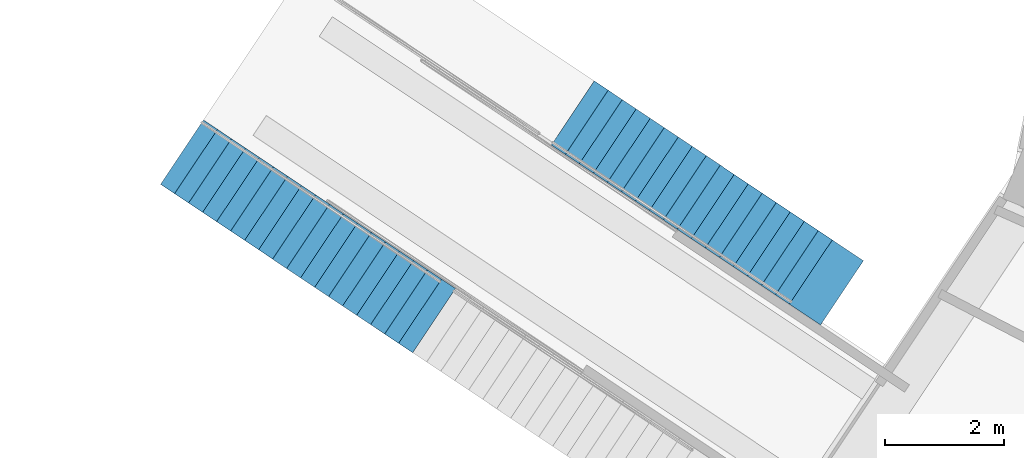
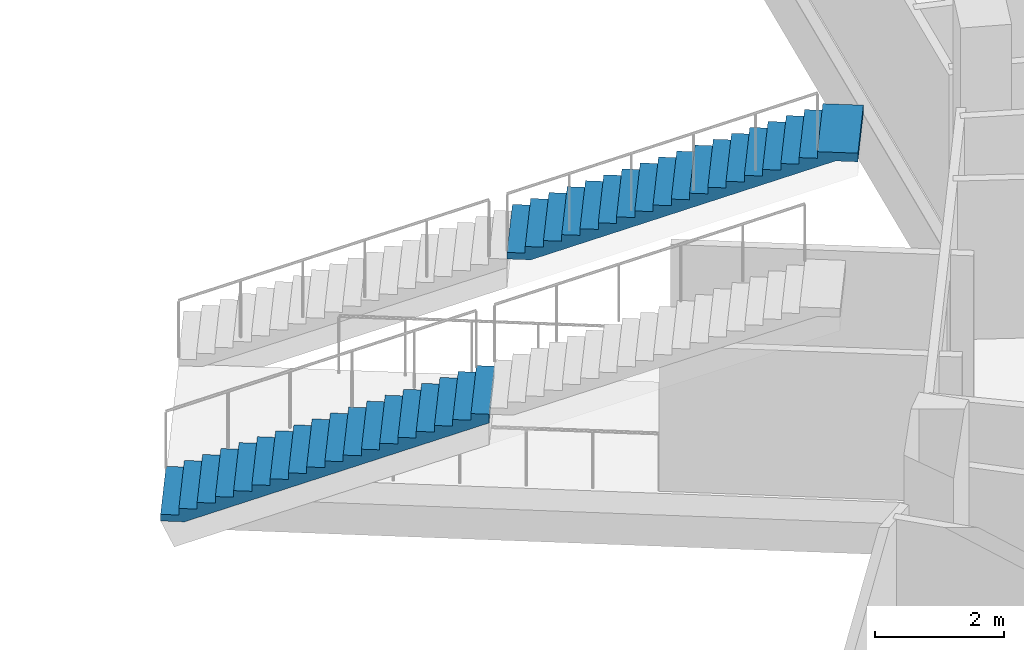
# One storey, part 91 of 175: 2 stair flights, 2 elements without a shape of their own.
"""IFC4 building model written with IfcOpenShell, lengths in metres."""

import ifcopenshell
import ifcopenshell.guid

model = None  # the IFC model being written
_history = None  # IfcOwnerHistory: only IFC2X3 demands one
_inside = {}  # id of a spatial element -> (the spatial element, [elements in it])
_under = {}  # id of a project, library or spatial element -> (it, [spatial elements below it])
_declared = {}  # id of a project -> (the project, [libraries it declares])
_typed = {}  # id of a type object -> (the type object, [elements of that type])
_made_of = {}  # id of a material, layer set ... -> (it, [elements and type objects made of it])


def new_model(schema):
    """Start an empty IFC model of exactly this schema.

    Asked for "IFC4X3", IfcOpenShell would pick the latest addendum, in which some entities
    have other attributes; the version numbers below select the first issue.
    IFC2X3 requires an IfcOwnerHistory on every rooted entity: one is made here for all.
    """
    global model, _history
    if schema == "IFC4X3":
        model = ifcopenshell.file(schema_version=(4, 3, 0, 0))
    else:
        model = ifcopenshell.file(schema=schema)
    _inside.clear()
    _under.clear()
    _declared.clear()
    _typed.clear()
    _made_of.clear()
    _history = None
    if model.schema == "IFC2X3":
        org = make("IfcOrganization", Name="unknown")
        user = make(
            "IfcPersonAndOrganization",
            ThePerson=make("IfcPerson", FamilyName="unknown"),
            TheOrganization=org,
        )
        app = make(
            "IfcApplication",
            ApplicationDeveloper=org,
            Version="unknown",
            ApplicationFullName="unknown",
            ApplicationIdentifier="unknown",
        )
        _history = make(
            "IfcOwnerHistory",
            OwningUser=user,
            OwningApplication=app,
            ChangeAction="ADDED",
            CreationDate=0,
        )
    return model


def make(cls, **values):
    """One entity of the class cls with the attributes given. An attribute that is None is left unset."""
    return model.create_entity(
        cls, **{name: value for name, value in values.items() if value is not None}
    )


def rooted(cls, **values):
    """An entity with a GlobalId (a new one), such as an element, a storey or a relation."""
    return make(cls, GlobalId=ifcopenshell.guid.new(), OwnerHistory=_history, **values)


def si_unit(unit_type, name, prefix=None):
    """IfcSIUnit, for example si_unit("LENGTHUNIT", "METRE", prefix="MILLI")."""
    return make("IfcSIUnit", UnitType=unit_type, Prefix=prefix, Name=name)


def assignment(units):
    """IfcUnitAssignment: the units of a project."""
    return None if units is None else make("IfcUnitAssignment", Units=units)


def point(xyz):
    """IfcCartesianPoint."""
    return None if xyz is None else make("IfcCartesianPoint", Coordinates=xyz)


def direction(xyz):
    """IfcDirection."""
    return None if xyz is None else make("IfcDirection", DirectionRatios=xyz)


def frame(location, z_axis=None, x_axis=None):
    """IfcAxis2Placement3D, a coordinate frame: its origin and axes. An axis left out is left unset."""
    return make(
        "IfcAxis2Placement3D",
        Location=point(location),
        Axis=direction(z_axis),
        RefDirection=direction(x_axis),
    )


def origin():
    """The frame at (0, 0, 0) with its axes left unset."""
    return frame((0.0, 0.0, 0.0))


def place(relative_to, where):
    """IfcLocalPlacement: puts the frame where relative to a parent placement (None: the world)."""
    return make(
        "IfcLocalPlacement", PlacementRelTo=relative_to, RelativePlacement=where
    )


def context(
    kind, dimensions, precision=None, world=None, true_north=None, identifier=None
):
    """IfcGeometricRepresentationContext, for example the 3D "Model" context."""
    return make(
        "IfcGeometricRepresentationContext",
        ContextIdentifier=identifier,
        ContextType=kind,
        CoordinateSpaceDimension=dimensions,
        Precision=precision,
        WorldCoordinateSystem=world,
        TrueNorth=true_north,
    )


def subcontext(parent, identifier, kind, view, scale=None):
    """IfcGeometricRepresentationSubContext, for example "Body" below "Model"."""
    return make(
        "IfcGeometricRepresentationSubContext",
        ContextIdentifier=identifier,
        ContextType=kind,
        ParentContext=parent,
        TargetScale=scale,
        TargetView=view,
    )


def project(units=None, contexts=None):
    """IfcProject with its units and contexts."""
    return rooted(
        "IfcProject",
        Name="project",
        RepresentationContexts=contexts,
        UnitsInContext=assignment(units),
    )


def spatial(cls, under=None, at=None, **own):
    """A site, building, storey or space (cls), placed at a placement, below another one or the project."""
    s = rooted(cls, ObjectPlacement=at, **own)
    if under is not None:
        _under.setdefault(under.id(), (under, []))[1].append(s)
    return s


def faces_of(points, faces, orient=None, outer=None):
    """IfcFace entities. A face is a list of loops; a loop is a list of indices into points, from 0.

    orient and outer hold one flag for each loop. By default every Orientation is true, the
    first loop of a face is its IfcFaceOuterBound and the others are IfcFaceBound.
    """
    made = []
    for i, loops in enumerate(faces):
        bounds = []
        for j, loop in enumerate(loops):
            is_outer = j == 0 if outer is None else outer[i][j]
            bounds.append(
                make(
                    "IfcFaceOuterBound" if is_outer else "IfcFaceBound",
                    Bound=make("IfcPolyLoop", Polygon=[points[k] for k in loop]),
                    Orientation=True if orient is None else orient[i][j],
                )
            )
        made.append(make("IfcFace", Bounds=bounds))
    return made


def faceted_brep(points, faces, orient=None, outer=None, voids=None):
    """IfcFacetedBrep: a solid bounded by flat faces; with voids (closed shells), ...WithVoids."""
    shared = [point(p) for p in points]
    hull = make("IfcClosedShell", CfsFaces=faces_of(shared, faces, orient, outer))
    if voids is None:
        return make("IfcFacetedBrep", Outer=hull)
    return make(
        "IfcFacetedBrepWithVoids",
        Outer=hull,
        Voids=[
            make(cls, CfsFaces=faces_of(shared, fs, o, b)) for cls, fs, o, b in voids
        ],
    )


def shape(context_of_items, identifier, shape_type, items):
    """IfcShapeRepresentation: the items that make up one representation, for example the "Body"."""
    return make(
        "IfcShapeRepresentation",
        ContextOfItems=context_of_items,
        RepresentationIdentifier=identifier,
        RepresentationType=shape_type,
        Items=items,
    )


def material(Name=None, Category=None):
    """IfcMaterial."""
    return make("IfcMaterial", Name=Name, Category=Category)


def made_of(thing, what):
    """Note that an element or type object is made of a material, layer set ...; save() writes the relation."""
    if what is not None:
        _made_of.setdefault(what.id(), (what, []))[1].append(thing)
    return thing


def type_object(cls, material=None, **own):
    """A type object (cls), such as IfcWallType, which elements share."""
    return made_of(rooted(cls, **own), material)


def element(
    cls,
    number,
    at=None,
    inside=None,
    cuts=None,
    type_object=None,
    material=None,
    context=None,
    identifier="Body",
    shape_type=None,
    held_by="IfcProductDefinitionShape",
    body=None,
    shapes=None,
    **own,
):
    """One element of the class cls, such as IfcWall. Its Tag is "e" and its number.

    at: its placement. inside: the storey or other place that contains it. cuts: it is an
    opening in that element (IfcRelVoidsElement). A single representation is given by context,
    identifier, shape_type and body (its items); several are given by shapes. held_by: the class
    of the entity that holds the representations. save() writes the other relations.
    """
    e = rooted(cls, Tag="e%d" % number, ObjectPlacement=at, **own)
    if body is not None:
        shapes = [shape(context, identifier, shape_type, body)]
    if shapes is not None:
        e.Representation = make(held_by, Representations=shapes)
    if inside is not None:
        _inside.setdefault(inside.id(), (inside, []))[1].append(e)
    if cuts is not None:
        rooted(
            "IfcRelVoidsElement", RelatingBuildingElement=cuts, RelatedOpeningElement=e
        )
    if type_object is not None:
        _typed.setdefault(type_object.id(), (type_object, []))[1].append(e)
    return made_of(e, material)


def aggregate(whole, parts):
    """IfcRelAggregates: a whole, such as a stair, and the parts it consists of."""
    return rooted("IfcRelAggregates", RelatingObject=whole, RelatedObjects=parts)


def save(model, path):
    """Write the relations noted so far, then the file.

    IfcRelAggregates (storeys below a building ...), IfcRelContainedInSpatialStructure (elements
    in a storey), IfcRelDefinesByType, IfcRelAssociatesMaterial and IfcRelDeclares: one each for
    every whole, place, type object, material and project.
    """
    for whole, parts in _under.values():
        aggregate(whole, parts)
    for where, things in _inside.values():
        rooted(
            "IfcRelContainedInSpatialStructure",
            RelatedElements=things,
            RelatingStructure=where,
        )
    for kind, things in _typed.values():
        rooted("IfcRelDefinesByType", RelatedObjects=things, RelatingType=kind)
    for what, things in _made_of.values():
        rooted("IfcRelAssociatesMaterial", RelatedObjects=things, RelatingMaterial=what)
    for by, libraries in _declared.values():
        rooted("IfcRelDeclares", RelatingContext=by, RelatedDefinitions=libraries)
    model.write(path)


model = new_model("IFC4")

# Units and contexts
model_context = context("Model", 3, precision=1e-05, world=origin(), true_north=direction((0.0, 1.0)))
body_context = subcontext(model_context, "Body", "Model", "MODEL_VIEW")
ifc_project = project(units=[si_unit("LENGTHUNIT", "METRE"), si_unit("AREAUNIT", "SQUARE_METRE"), si_unit("VOLUMEUNIT", "CUBIC_METRE"), si_unit("PLANEANGLEUNIT", "RADIAN"), si_unit("MASSUNIT", "GRAM", prefix="KILO")], contexts=[model_context])

# Site, building, storey
site_placement = place(None, origin())
site = spatial("IfcSite", under=ifc_project, at=site_placement, CompositionType="ELEMENT")
building_placement = place(site_placement, origin())
building = spatial("IfcBuilding", under=site, at=building_placement, Name="Ogive Plaza Stadium", CompositionType="ELEMENT")
storey_placement = place(building_placement, origin())
storey = spatial("IfcBuildingStorey", under=building, at=storey_placement, Name="L00", CompositionType="ELEMENT", Elevation=0.0)

# Stair, stair flight
ifc_material_1 = material(Name="Concrete C40/50", Category="concrete")
stair_type = type_object("IfcStairType", Name="Aisle stair", PredefinedType="STRAIGHT_RUN_STAIR", material=ifc_material_1)
stair_1_placement = place(storey_placement, origin())
stair_1 = element("IfcStair", 1, at=stair_1_placement, inside=storey, type_object=stair_type, Name="Aisle stair SA09L", PredefinedType="STRAIGHT_RUN_STAIR")
ifc_material_2 = material(Name="Concrete C40/50", Category="concrete")
stair_flight_type = type_object("IfcStairFlightType", Name="Aisle stair flight", PredefinedType="STRAIGHT", material=ifc_material_2)
stair_flight_1_placement = place(storey_placement, frame((45.43017578125, -62.6630859375, 0.0), z_axis=(0.0, 0.0, 1.0), x_axis=(0.831469612303, -0.55557023302, 0.0)))
stair_flight_1 = element("IfcStairFlight", 2, at=stair_flight_1_placement, type_object=stair_flight_type, Name="SA09L flight 1", NumberOfRisers=18, NumberOfTreads=17, PredefinedType="STRAIGHT", RiserHeight=0.125, TreadLength=0.283333333, context=body_context, shape_type="Brep", body=[
    faceted_brep([(0.371337890625, -0.64990234375, 0.0), (5.10009765625, -0.64990234375, 2.086181640625), (5.10009765625, -0.64990234375, 2.25), (4.816650390625, -0.64990234375, 2.25), (4.816650390625, -0.64990234375, 2.125), (4.533447265625, -0.64990234375, 2.125), (4.533447265625, -0.64990234375, 2.0), (4.25, -0.64990234375, 2.0), (4.25, -0.64990234375, 1.875), (3.966552734375, -0.64990234375, 1.875), (3.966552734375, -0.64990234375, 1.75), (3.683349609375, -0.64990234375, 1.75), (3.683349609375, -0.64990234375, 1.625), (3.39990234375, -0.64990234375, 1.625), (3.39990234375, -0.64990234375, 1.5), (3.11669921875, -0.64990234375, 1.5), (3.11669921875, -0.64990234375, 1.375), (2.833251953125, -0.64990234375, 1.375), (2.833251953125, -0.64990234375, 1.25), (2.550048828125, -0.64990234375, 1.25), (2.550048828125, -0.64990234375, 1.125), (2.2666015625, -0.64990234375, 1.125), (2.2666015625, -0.64990234375, 1.0), (1.9833984375, -0.64990234375, 1.0), (1.9833984375, -0.64990234375, 0.875), (1.699951171875, -0.64990234375, 0.875), (1.699951171875, -0.64990234375, 0.75), (1.416748046875, -0.64990234375, 0.75), (1.416748046875, -0.64990234375, 0.625), (1.13330078125, -0.64990234375, 0.625), (1.13330078125, -0.64990234375, 0.5), (0.85009765625, -0.64990234375, 0.5), (0.85009765625, -0.64990234375, 0.375), (0.566650390625, -0.64990234375, 0.375), (0.566650390625, -0.64990234375, 0.25), (0.283447265625, -0.64990234375, 0.25), (0.283447265625, -0.64990234375, 0.125), (0.0, -0.64990234375, 0.125), (0.0, -0.64990234375, 0.0), (0.0, 0.64990234375, 0.0), (0.0, 0.64990234375, 0.125), (0.283447265625, 0.64990234375, 0.125), (0.283447265625, 0.64990234375, 0.25), (0.566650390625, 0.64990234375, 0.25), (0.566650390625, 0.64990234375, 0.375), (0.85009765625, 0.64990234375, 0.375), (0.85009765625, 0.64990234375, 0.5), (1.13330078125, 0.64990234375, 0.5), (1.13330078125, 0.64990234375, 0.625), (1.416748046875, 0.64990234375, 0.625), (1.416748046875, 0.64990234375, 0.75), (1.699951171875, 0.64990234375, 0.75), (1.699951171875, 0.64990234375, 0.875), (1.9833984375, 0.64990234375, 0.875), (1.9833984375, 0.64990234375, 1.0), (2.2666015625, 0.64990234375, 1.0), (2.2666015625, 0.64990234375, 1.125), (2.550048828125, 0.64990234375, 1.125), (2.550048828125, 0.64990234375, 1.25), (2.833251953125, 0.64990234375, 1.25), (2.833251953125, 0.64990234375, 1.375), (3.11669921875, 0.64990234375, 1.375), (3.11669921875, 0.64990234375, 1.5), (3.39990234375, 0.64990234375, 1.5), (3.39990234375, 0.64990234375, 1.625), (3.683349609375, 0.64990234375, 1.625), (3.683349609375, 0.64990234375, 1.75), (3.966552734375, 0.64990234375, 1.75), (3.966552734375, 0.64990234375, 1.875), (4.25, 0.64990234375, 1.875), (4.25, 0.64990234375, 2.0), (4.533447265625, 0.64990234375, 2.0), (4.533447265625, 0.64990234375, 2.125), (4.816650390625, 0.64990234375, 2.125), (4.816650390625, 0.64990234375, 2.25), (5.10009765625, 0.64990234375, 2.25), (5.10009765625, 0.64990234375, 2.086181640625), (0.371337890625, 0.64990234375, 0.0), (0.371337890625, -0.324951171875, 0.0), (5.10009765625, -0.324951171875, 2.086181640625), (0.371337890625, 0.0, 0.0), (5.10009765625, 0.0, 2.086181640625), (0.371337890625, 0.324951171875, 0.0), (5.10009765625, 0.324951171875, 2.086181640625), (5.10009765625, -0.324951171875, 2.25), (5.10009765625, 0.0, 2.25), (5.10009765625, 0.324951171875, 2.25), (4.816650390625, -0.324951171875, 2.25), (4.816650390625, 0.0, 2.25), (4.816650390625, 0.324951171875, 2.25), (4.816650390625, -0.324951171875, 2.125), (4.816650390625, 0.0, 2.125), (4.816650390625, 0.324951171875, 2.125), (4.533447265625, -0.324951171875, 2.125), (4.533447265625, 0.0, 2.125), (4.533447265625, 0.324951171875, 2.125), (4.533447265625, -0.324951171875, 2.0), (4.533447265625, 0.0, 2.0), (4.533447265625, 0.324951171875, 2.0), (4.25, -0.324951171875, 2.0), (4.25, 0.0, 2.0), (4.25, 0.324951171875, 2.0), (4.25, -0.324951171875, 1.875), (4.25, 0.0, 1.875), (4.25, 0.324951171875, 1.875), (3.966552734375, -0.324951171875, 1.875), (3.966552734375, 0.0, 1.875), (3.966552734375, 0.324951171875, 1.875), (3.966552734375, -0.324951171875, 1.75), (3.966552734375, 0.0, 1.75), (3.966552734375, 0.324951171875, 1.75), (3.683349609375, -0.324951171875, 1.75), (3.683349609375, 0.0, 1.75), (3.683349609375, 0.324951171875, 1.75), (3.683349609375, -0.324951171875, 1.625), (3.683349609375, 0.0, 1.625), (3.683349609375, 0.324951171875, 1.625), (3.39990234375, -0.324951171875, 1.625), (3.39990234375, 0.0, 1.625), (3.39990234375, 0.324951171875, 1.625), (3.39990234375, -0.324951171875, 1.5), (3.39990234375, 0.0, 1.5), (3.39990234375, 0.324951171875, 1.5), (3.11669921875, -0.324951171875, 1.5), (3.11669921875, 0.0, 1.5), (3.11669921875, 0.324951171875, 1.5), (3.11669921875, -0.324951171875, 1.375), (3.11669921875, 0.0, 1.375), (3.11669921875, 0.324951171875, 1.375), (2.833251953125, -0.324951171875, 1.375), (2.833251953125, 0.0, 1.375), (2.833251953125, 0.324951171875, 1.375), (2.833251953125, -0.324951171875, 1.25), (2.833251953125, 0.0, 1.25), (2.833251953125, 0.324951171875, 1.25), (2.550048828125, -0.324951171875, 1.25), (2.550048828125, 0.0, 1.25), (2.550048828125, 0.324951171875, 1.25), (2.550048828125, -0.324951171875, 1.125), (2.550048828125, 0.0, 1.125), (2.550048828125, 0.324951171875, 1.125), (2.2666015625, -0.324951171875, 1.125), (2.2666015625, 0.0, 1.125), (2.2666015625, 0.324951171875, 1.125), (2.2666015625, -0.324951171875, 1.0), (2.2666015625, 0.0, 1.0), (2.2666015625, 0.324951171875, 1.0), (1.9833984375, -0.324951171875, 1.0), (1.9833984375, 0.0, 1.0), (1.9833984375, 0.324951171875, 1.0), (1.9833984375, -0.324951171875, 0.875), (1.9833984375, 0.0, 0.875), (1.9833984375, 0.324951171875, 0.875), (1.699951171875, -0.324951171875, 0.875), (1.699951171875, 0.0, 0.875), (1.699951171875, 0.324951171875, 0.875), (1.699951171875, -0.324951171875, 0.75), (1.699951171875, 0.0, 0.75), (1.699951171875, 0.324951171875, 0.75), (1.416748046875, -0.324951171875, 0.75), (1.416748046875, 0.0, 0.75), (1.416748046875, 0.324951171875, 0.75), (1.416748046875, -0.324951171875, 0.625), (1.416748046875, 0.0, 0.625), (1.416748046875, 0.324951171875, 0.625), (1.13330078125, -0.324951171875, 0.625), (1.13330078125, 0.0, 0.625), (1.13330078125, 0.324951171875, 0.625), (1.13330078125, -0.324951171875, 0.5), (1.13330078125, 0.0, 0.5), (1.13330078125, 0.324951171875, 0.5), (0.85009765625, -0.324951171875, 0.5), (0.85009765625, 0.0, 0.5), (0.85009765625, 0.324951171875, 0.5), (0.85009765625, -0.324951171875, 0.375), (0.85009765625, 0.0, 0.375), (0.85009765625, 0.324951171875, 0.375), (0.566650390625, -0.324951171875, 0.375), (0.566650390625, 0.0, 0.375), (0.566650390625, 0.324951171875, 0.375), (0.566650390625, -0.324951171875, 0.25), (0.566650390625, 0.0, 0.25), (0.566650390625, 0.324951171875, 0.25), (0.283447265625, -0.324951171875, 0.25), (0.283447265625, 0.0, 0.25), (0.283447265625, 0.324951171875, 0.25), (0.283447265625, -0.324951171875, 0.125), (0.283447265625, 0.0, 0.125), (0.283447265625, 0.324951171875, 0.125), (0.0, -0.324951171875, 0.125), (0.0, 0.0, 0.125), (0.0, 0.324951171875, 0.125), (0.0, -0.324951171875, 0.0), (0.0, 0.0, 0.0), (0.0, 0.324951171875, 0.0)], [[[0, 1, 2, 3, 4, 5, 6, 7, 8, 9, 10, 11, 12, 13, 14, 15, 16, 17, 18, 19, 20, 21, 22, 23, 24, 25, 26, 27, 28, 29, 30, 31, 32, 33, 34, 35, 36, 37, 38]], [[39, 40, 41, 42, 43, 44, 45, 46, 47, 48, 49, 50, 51, 52, 53, 54, 55, 56, 57, 58, 59, 60, 61, 62, 63, 64, 65, 66, 67, 68, 69, 70, 71, 72, 73, 74, 75, 76, 77]], [[0, 78, 79, 1]], [[78, 80, 81, 79]], [[80, 82, 83, 81]], [[82, 77, 76, 83]], [[1, 79, 84, 2]], [[79, 81, 85, 84]], [[81, 83, 86, 85]], [[83, 76, 75, 86]], [[2, 84, 87, 3]], [[84, 85, 88, 87]], [[85, 86, 89, 88]], [[86, 75, 74, 89]], [[3, 87, 90, 4]], [[87, 88, 91, 90]], [[88, 89, 92, 91]], [[89, 74, 73, 92]], [[4, 90, 93, 5]], [[90, 91, 94, 93]], [[91, 92, 95, 94]], [[92, 73, 72, 95]], [[5, 93, 96, 6]], [[93, 94, 97, 96]], [[94, 95, 98, 97]], [[95, 72, 71, 98]], [[6, 96, 99, 7]], [[96, 97, 100, 99]], [[97, 98, 101, 100]], [[98, 71, 70, 101]], [[7, 99, 102, 8]], [[99, 100, 103, 102]], [[100, 101, 104, 103]], [[101, 70, 69, 104]], [[8, 102, 105, 9]], [[102, 103, 106, 105]], [[103, 104, 107, 106]], [[104, 69, 68, 107]], [[9, 105, 108, 10]], [[105, 106, 109, 108]], [[106, 107, 110, 109]], [[107, 68, 67, 110]], [[10, 108, 111, 11]], [[108, 109, 112, 111]], [[109, 110, 113, 112]], [[110, 67, 66, 113]], [[11, 111, 114, 12]], [[111, 112, 115, 114]], [[112, 113, 116, 115]], [[113, 66, 65, 116]], [[12, 114, 117, 13]], [[114, 115, 118, 117]], [[115, 116, 119, 118]], [[116, 65, 64, 119]], [[13, 117, 120, 14]], [[117, 118, 121, 120]], [[118, 119, 122, 121]], [[119, 64, 63, 122]], [[14, 120, 123, 15]], [[120, 121, 124, 123]], [[121, 122, 125, 124]], [[122, 63, 62, 125]], [[15, 123, 126, 16]], [[123, 124, 127, 126]], [[124, 125, 128, 127]], [[125, 62, 61, 128]], [[16, 126, 129, 17]], [[126, 127, 130, 129]], [[127, 128, 131, 130]], [[128, 61, 60, 131]], [[17, 129, 132, 18]], [[129, 130, 133, 132]], [[130, 131, 134, 133]], [[131, 60, 59, 134]], [[18, 132, 135, 19]], [[132, 133, 136, 135]], [[133, 134, 137, 136]], [[134, 59, 58, 137]], [[19, 135, 138, 20]], [[135, 136, 139, 138]], [[136, 137, 140, 139]], [[137, 58, 57, 140]], [[20, 138, 141, 21]], [[138, 139, 142, 141]], [[139, 140, 143, 142]], [[140, 57, 56, 143]], [[21, 141, 144, 22]], [[141, 142, 145, 144]], [[142, 143, 146, 145]], [[143, 56, 55, 146]], [[22, 144, 147, 23]], [[144, 145, 148, 147]], [[145, 146, 149, 148]], [[146, 55, 54, 149]], [[23, 147, 150, 24]], [[147, 148, 151, 150]], [[148, 149, 152, 151]], [[149, 54, 53, 152]], [[24, 150, 153, 25]], [[150, 151, 154, 153]], [[151, 152, 155, 154]], [[152, 53, 52, 155]], [[25, 153, 156, 26]], [[153, 154, 157, 156]], [[154, 155, 158, 157]], [[155, 52, 51, 158]], [[26, 156, 159, 27]], [[156, 157, 160, 159]], [[157, 158, 161, 160]], [[158, 51, 50, 161]], [[27, 159, 162, 28]], [[159, 160, 163, 162]], [[160, 161, 164, 163]], [[161, 50, 49, 164]], [[28, 162, 165, 29]], [[162, 163, 166, 165]], [[163, 164, 167, 166]], [[164, 49, 48, 167]], [[29, 165, 168, 30]], [[165, 166, 169, 168]], [[166, 167, 170, 169]], [[167, 48, 47, 170]], [[30, 168, 171, 31]], [[168, 169, 172, 171]], [[169, 170, 173, 172]], [[170, 47, 46, 173]], [[31, 171, 174, 32]], [[171, 172, 175, 174]], [[172, 173, 176, 175]], [[173, 46, 45, 176]], [[32, 174, 177, 33]], [[174, 175, 178, 177]], [[175, 176, 179, 178]], [[176, 45, 44, 179]], [[33, 177, 180, 34]], [[177, 178, 181, 180]], [[178, 179, 182, 181]], [[179, 44, 43, 182]], [[34, 180, 183, 35]], [[180, 181, 184, 183]], [[181, 182, 185, 184]], [[182, 43, 42, 185]], [[35, 183, 186, 36]], [[183, 184, 187, 186]], [[184, 185, 188, 187]], [[185, 42, 41, 188]], [[36, 186, 189, 37]], [[186, 187, 190, 189]], [[187, 188, 191, 190]], [[188, 41, 40, 191]], [[37, 189, 192, 38]], [[189, 190, 193, 192]], [[190, 191, 194, 193]], [[191, 40, 39, 194]], [[38, 192, 78, 0]], [[192, 193, 80, 78]], [[193, 194, 82, 80]], [[194, 39, 77, 82]]]),
])
aggregate(stair_1, [stair_flight_1])

stair_2_placement = place(storey_placement, origin())
stair_2 = element("IfcStair", 3, at=stair_2_placement, inside=storey, type_object=stair_type, Name="Aisle stair SA09R", PredefinedType="STRAIGHT_RUN_STAIR")
stair_flight_2_placement = place(storey_placement, frame((52.00390625, -62.004150390625, 2.25), z_axis=(0.0, 0.0, 1.0), x_axis=(0.831469612303, -0.55557023302, 0.0)))
stair_flight_2 = element("IfcStairFlight", 4, at=stair_flight_2_placement, type_object=stair_flight_type, Name="SA09R flight 2", NumberOfRisers=18, NumberOfTreads=17, PredefinedType="STRAIGHT", RiserHeight=0.125, TreadLength=0.283333333, context=body_context, shape_type="Brep", body=[
    faceted_brep([(0.371337890625, -0.64990234375, 0.0), (5.10009765625, -0.64990234375, 2.086181640625), (5.446533203125, -0.64990234375, 2.086181640625), (5.446533203125, -0.64990234375, 2.25), (4.816650390625, -0.64990234375, 2.25), (4.816650390625, -0.64990234375, 2.125), (4.533447265625, -0.64990234375, 2.125), (4.533447265625, -0.64990234375, 2.0), (4.25, -0.64990234375, 2.0), (4.25, -0.64990234375, 1.875), (3.966552734375, -0.64990234375, 1.875), (3.966552734375, -0.64990234375, 1.75), (3.683349609375, -0.64990234375, 1.75), (3.683349609375, -0.64990234375, 1.625), (3.39990234375, -0.64990234375, 1.625), (3.39990234375, -0.64990234375, 1.5), (3.11669921875, -0.64990234375, 1.5), (3.11669921875, -0.64990234375, 1.375), (2.833251953125, -0.64990234375, 1.375), (2.833251953125, -0.64990234375, 1.25), (2.550048828125, -0.64990234375, 1.25), (2.550048828125, -0.64990234375, 1.125), (2.2666015625, -0.64990234375, 1.125), (2.2666015625, -0.64990234375, 1.0), (1.9833984375, -0.64990234375, 1.0), (1.9833984375, -0.64990234375, 0.875), (1.699951171875, -0.64990234375, 0.875), (1.699951171875, -0.64990234375, 0.75), (1.416748046875, -0.64990234375, 0.75), (1.416748046875, -0.64990234375, 0.625), (1.13330078125, -0.64990234375, 0.625), (1.13330078125, -0.64990234375, 0.5), (0.85009765625, -0.64990234375, 0.5), (0.85009765625, -0.64990234375, 0.375), (0.566650390625, -0.64990234375, 0.375), (0.566650390625, -0.64990234375, 0.25), (0.283447265625, -0.64990234375, 0.25), (0.283447265625, -0.64990234375, 0.125), (0.0, -0.64990234375, 0.125), (0.0, -0.64990234375, 0.0), (0.0, 0.64990234375, 0.0), (0.0, 0.64990234375, 0.125), (0.283447265625, 0.64990234375, 0.125), (0.283447265625, 0.64990234375, 0.25), (0.566650390625, 0.64990234375, 0.25), (0.566650390625, 0.64990234375, 0.375), (0.85009765625, 0.64990234375, 0.375), (0.85009765625, 0.64990234375, 0.5), (1.13330078125, 0.64990234375, 0.5), (1.13330078125, 0.64990234375, 0.625), (1.416748046875, 0.64990234375, 0.625), (1.416748046875, 0.64990234375, 0.75), (1.699951171875, 0.64990234375, 0.75), (1.699951171875, 0.64990234375, 0.875), (1.9833984375, 0.64990234375, 0.875), (1.9833984375, 0.64990234375, 1.0), (2.2666015625, 0.64990234375, 1.0), (2.2666015625, 0.64990234375, 1.125), (2.550048828125, 0.64990234375, 1.125), (2.550048828125, 0.64990234375, 1.25), (2.833251953125, 0.64990234375, 1.25), (2.833251953125, 0.64990234375, 1.375), (3.11669921875, 0.64990234375, 1.375), (3.11669921875, 0.64990234375, 1.5), (3.39990234375, 0.64990234375, 1.5), (3.39990234375, 0.64990234375, 1.625), (3.683349609375, 0.64990234375, 1.625), (3.683349609375, 0.64990234375, 1.75), (3.966552734375, 0.64990234375, 1.75), (3.966552734375, 0.64990234375, 1.875), (4.25, 0.64990234375, 1.875), (4.25, 0.64990234375, 2.0), (4.533447265625, 0.64990234375, 2.0), (4.533447265625, 0.64990234375, 2.125), (4.816650390625, 0.64990234375, 2.125), (4.816650390625, 0.64990234375, 2.25), (5.446533203125, 0.64990234375, 2.25), (5.446533203125, 0.64990234375, 2.086181640625), (5.10009765625, 0.64990234375, 2.086181640625), (0.371337890625, 0.64990234375, 0.0), (0.371337890625, -0.324951171875, 0.0), (5.10009765625, -0.324951171875, 2.086181640625), (0.371337890625, 0.0, 0.0), (5.10009765625, 0.0, 2.086181640625), (0.371337890625, 0.324951171875, 0.0), (5.10009765625, 0.324951171875, 2.086181640625), (5.446533203125, -0.324951171875, 2.086181640625), (5.446533203125, 0.0, 2.086181640625), (5.446533203125, 0.324951171875, 2.086181640625), (5.446533203125, -0.324951171875, 2.25), (5.446533203125, 0.0, 2.25), (5.446533203125, 0.324951171875, 2.25), (4.816650390625, -0.324951171875, 2.25), (4.816650390625, 0.0, 2.25), (4.816650390625, 0.324951171875, 2.25), (4.816650390625, -0.324951171875, 2.125), (4.816650390625, 0.0, 2.125), (4.816650390625, 0.324951171875, 2.125), (4.533447265625, -0.324951171875, 2.125), (4.533447265625, 0.0, 2.125), (4.533447265625, 0.324951171875, 2.125), (4.533447265625, -0.324951171875, 2.0), (4.533447265625, 0.0, 2.0), (4.533447265625, 0.324951171875, 2.0), (4.25, -0.324951171875, 2.0), (4.25, 0.0, 2.0), (4.25, 0.324951171875, 2.0), (4.25, -0.324951171875, 1.875), (4.25, 0.0, 1.875), (4.25, 0.324951171875, 1.875), (3.966552734375, -0.324951171875, 1.875), (3.966552734375, 0.0, 1.875), (3.966552734375, 0.324951171875, 1.875), (3.966552734375, -0.324951171875, 1.75), (3.966552734375, 0.0, 1.75), (3.966552734375, 0.324951171875, 1.75), (3.683349609375, -0.324951171875, 1.75), (3.683349609375, 0.0, 1.75), (3.683349609375, 0.324951171875, 1.75), (3.683349609375, -0.324951171875, 1.625), (3.683349609375, 0.0, 1.625), (3.683349609375, 0.324951171875, 1.625), (3.39990234375, -0.324951171875, 1.625), (3.39990234375, 0.0, 1.625), (3.39990234375, 0.324951171875, 1.625), (3.39990234375, -0.324951171875, 1.5), (3.39990234375, 0.0, 1.5), (3.39990234375, 0.324951171875, 1.5), (3.11669921875, -0.324951171875, 1.5), (3.11669921875, 0.0, 1.5), (3.11669921875, 0.324951171875, 1.5), (3.11669921875, -0.324951171875, 1.375), (3.11669921875, 0.0, 1.375), (3.11669921875, 0.324951171875, 1.375), (2.833251953125, -0.324951171875, 1.375), (2.833251953125, 0.0, 1.375), (2.833251953125, 0.324951171875, 1.375), (2.833251953125, -0.324951171875, 1.25), (2.833251953125, 0.0, 1.25), (2.833251953125, 0.324951171875, 1.25), (2.550048828125, -0.324951171875, 1.25), (2.550048828125, 0.0, 1.25), (2.550048828125, 0.324951171875, 1.25), (2.550048828125, -0.324951171875, 1.125), (2.550048828125, 0.0, 1.125), (2.550048828125, 0.324951171875, 1.125), (2.2666015625, -0.324951171875, 1.125), (2.2666015625, 0.0, 1.125), (2.2666015625, 0.324951171875, 1.125), (2.2666015625, -0.324951171875, 1.0), (2.2666015625, 0.0, 1.0), (2.2666015625, 0.324951171875, 1.0), (1.9833984375, -0.324951171875, 1.0), (1.9833984375, 0.0, 1.0), (1.9833984375, 0.324951171875, 1.0), (1.9833984375, -0.324951171875, 0.875), (1.9833984375, 0.0, 0.875), (1.9833984375, 0.324951171875, 0.875), (1.699951171875, -0.324951171875, 0.875), (1.699951171875, 0.0, 0.875), (1.699951171875, 0.324951171875, 0.875), (1.699951171875, -0.324951171875, 0.75), (1.699951171875, 0.0, 0.75), (1.699951171875, 0.324951171875, 0.75), (1.416748046875, -0.324951171875, 0.75), (1.416748046875, 0.0, 0.75), (1.416748046875, 0.324951171875, 0.75), (1.416748046875, -0.324951171875, 0.625), (1.416748046875, 0.0, 0.625), (1.416748046875, 0.324951171875, 0.625), (1.13330078125, -0.324951171875, 0.625), (1.13330078125, 0.0, 0.625), (1.13330078125, 0.324951171875, 0.625), (1.13330078125, -0.324951171875, 0.5), (1.13330078125, 0.0, 0.5), (1.13330078125, 0.324951171875, 0.5), (0.85009765625, -0.324951171875, 0.5), (0.85009765625, 0.0, 0.5), (0.85009765625, 0.324951171875, 0.5), (0.85009765625, -0.324951171875, 0.375), (0.85009765625, 0.0, 0.375), (0.85009765625, 0.324951171875, 0.375), (0.566650390625, -0.324951171875, 0.375), (0.566650390625, 0.0, 0.375), (0.566650390625, 0.324951171875, 0.375), (0.566650390625, -0.324951171875, 0.25), (0.566650390625, 0.0, 0.25), (0.566650390625, 0.324951171875, 0.25), (0.283447265625, -0.324951171875, 0.25), (0.283447265625, 0.0, 0.25), (0.283447265625, 0.324951171875, 0.25), (0.283447265625, -0.324951171875, 0.125), (0.283447265625, 0.0, 0.125), (0.283447265625, 0.324951171875, 0.125), (0.0, -0.324951171875, 0.125), (0.0, 0.0, 0.125), (0.0, 0.324951171875, 0.125), (0.0, -0.324951171875, 0.0), (0.0, 0.0, 0.0), (0.0, 0.324951171875, 0.0)], [[[0, 1, 2, 3, 4, 5, 6, 7, 8, 9, 10, 11, 12, 13, 14, 15, 16, 17, 18, 19, 20, 21, 22, 23, 24, 25, 26, 27, 28, 29, 30, 31, 32, 33, 34, 35, 36, 37, 38, 39]], [[40, 41, 42, 43, 44, 45, 46, 47, 48, 49, 50, 51, 52, 53, 54, 55, 56, 57, 58, 59, 60, 61, 62, 63, 64, 65, 66, 67, 68, 69, 70, 71, 72, 73, 74, 75, 76, 77, 78, 79]], [[0, 80, 81, 1]], [[80, 82, 83, 81]], [[82, 84, 85, 83]], [[84, 79, 78, 85]], [[1, 81, 86, 2]], [[81, 83, 87, 86]], [[83, 85, 88, 87]], [[85, 78, 77, 88]], [[2, 86, 89, 3]], [[86, 87, 90, 89]], [[87, 88, 91, 90]], [[88, 77, 76, 91]], [[3, 89, 92, 4]], [[89, 90, 93, 92]], [[90, 91, 94, 93]], [[91, 76, 75, 94]], [[4, 92, 95, 5]], [[92, 93, 96, 95]], [[93, 94, 97, 96]], [[94, 75, 74, 97]], [[5, 95, 98, 6]], [[95, 96, 99, 98]], [[96, 97, 100, 99]], [[97, 74, 73, 100]], [[6, 98, 101, 7]], [[98, 99, 102, 101]], [[99, 100, 103, 102]], [[100, 73, 72, 103]], [[7, 101, 104, 8]], [[101, 102, 105, 104]], [[102, 103, 106, 105]], [[103, 72, 71, 106]], [[8, 104, 107, 9]], [[104, 105, 108, 107]], [[105, 106, 109, 108]], [[106, 71, 70, 109]], [[9, 107, 110, 10]], [[107, 108, 111, 110]], [[108, 109, 112, 111]], [[109, 70, 69, 112]], [[10, 110, 113, 11]], [[110, 111, 114, 113]], [[111, 112, 115, 114]], [[112, 69, 68, 115]], [[11, 113, 116, 12]], [[113, 114, 117, 116]], [[114, 115, 118, 117]], [[115, 68, 67, 118]], [[12, 116, 119, 13]], [[116, 117, 120, 119]], [[117, 118, 121, 120]], [[118, 67, 66, 121]], [[13, 119, 122, 14]], [[119, 120, 123, 122]], [[120, 121, 124, 123]], [[121, 66, 65, 124]], [[14, 122, 125, 15]], [[122, 123, 126, 125]], [[123, 124, 127, 126]], [[124, 65, 64, 127]], [[15, 125, 128, 16]], [[125, 126, 129, 128]], [[126, 127, 130, 129]], [[127, 64, 63, 130]], [[16, 128, 131, 17]], [[128, 129, 132, 131]], [[129, 130, 133, 132]], [[130, 63, 62, 133]], [[17, 131, 134, 18]], [[131, 132, 135, 134]], [[132, 133, 136, 135]], [[133, 62, 61, 136]], [[18, 134, 137, 19]], [[134, 135, 138, 137]], [[135, 136, 139, 138]], [[136, 61, 60, 139]], [[19, 137, 140, 20]], [[137, 138, 141, 140]], [[138, 139, 142, 141]], [[139, 60, 59, 142]], [[20, 140, 143, 21]], [[140, 141, 144, 143]], [[141, 142, 145, 144]], [[142, 59, 58, 145]], [[21, 143, 146, 22]], [[143, 144, 147, 146]], [[144, 145, 148, 147]], [[145, 58, 57, 148]], [[22, 146, 149, 23]], [[146, 147, 150, 149]], [[147, 148, 151, 150]], [[148, 57, 56, 151]], [[23, 149, 152, 24]], [[149, 150, 153, 152]], [[150, 151, 154, 153]], [[151, 56, 55, 154]], [[24, 152, 155, 25]], [[152, 153, 156, 155]], [[153, 154, 157, 156]], [[154, 55, 54, 157]], [[25, 155, 158, 26]], [[155, 156, 159, 158]], [[156, 157, 160, 159]], [[157, 54, 53, 160]], [[26, 158, 161, 27]], [[158, 159, 162, 161]], [[159, 160, 163, 162]], [[160, 53, 52, 163]], [[27, 161, 164, 28]], [[161, 162, 165, 164]], [[162, 163, 166, 165]], [[163, 52, 51, 166]], [[28, 164, 167, 29]], [[164, 165, 168, 167]], [[165, 166, 169, 168]], [[166, 51, 50, 169]], [[29, 167, 170, 30]], [[167, 168, 171, 170]], [[168, 169, 172, 171]], [[169, 50, 49, 172]], [[30, 170, 173, 31]], [[170, 171, 174, 173]], [[171, 172, 175, 174]], [[172, 49, 48, 175]], [[31, 173, 176, 32]], [[173, 174, 177, 176]], [[174, 175, 178, 177]], [[175, 48, 47, 178]], [[32, 176, 179, 33]], [[176, 177, 180, 179]], [[177, 178, 181, 180]], [[178, 47, 46, 181]], [[33, 179, 182, 34]], [[179, 180, 183, 182]], [[180, 181, 184, 183]], [[181, 46, 45, 184]], [[34, 182, 185, 35]], [[182, 183, 186, 185]], [[183, 184, 187, 186]], [[184, 45, 44, 187]], [[35, 185, 188, 36]], [[185, 186, 189, 188]], [[186, 187, 190, 189]], [[187, 44, 43, 190]], [[36, 188, 191, 37]], [[188, 189, 192, 191]], [[189, 190, 193, 192]], [[190, 43, 42, 193]], [[37, 191, 194, 38]], [[191, 192, 195, 194]], [[192, 193, 196, 195]], [[193, 42, 41, 196]], [[38, 194, 197, 39]], [[194, 195, 198, 197]], [[195, 196, 199, 198]], [[196, 41, 40, 199]], [[39, 197, 80, 0]], [[197, 198, 82, 80]], [[198, 199, 84, 82]], [[199, 40, 79, 84]]]),
])
aggregate(stair_2, [stair_flight_2])

save(model, "model.ifc")
